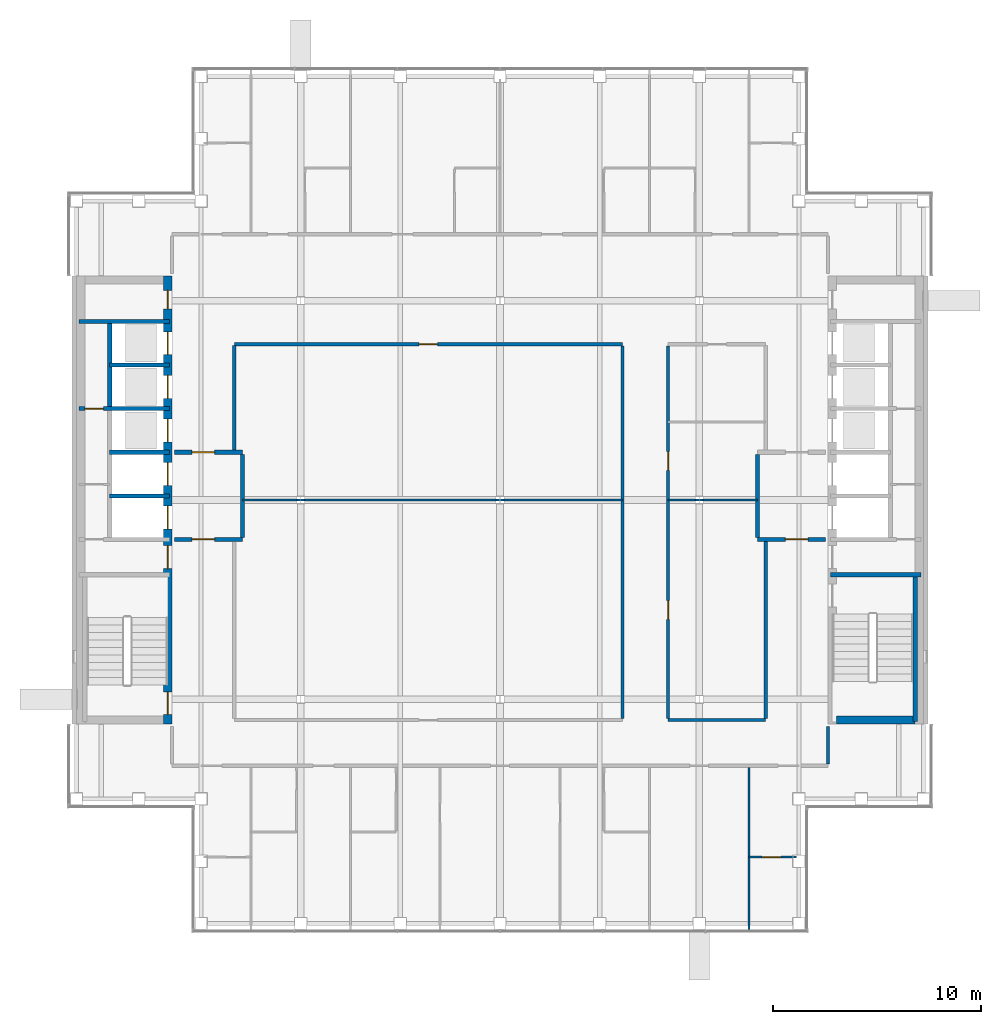
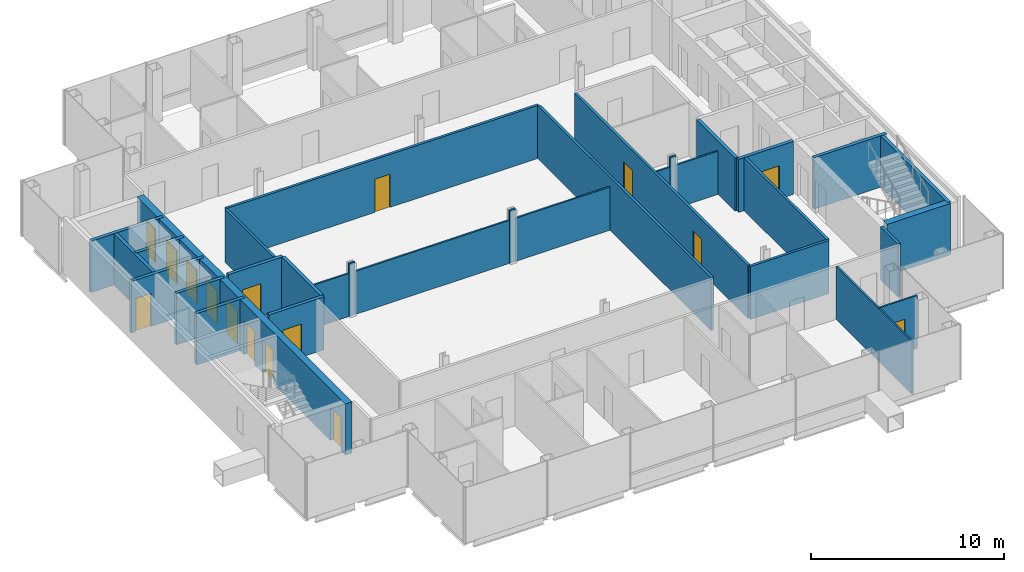
# One storey, part 11 of 15: 32 walls, 16 doors, 16 openings.
"""IFC4 building model written with IfcOpenShell, lengths in metres."""

from ifc_helpers import new_model, si_unit, direction, frame, frame_2d, origin, place, context, subcontext, project, spatial, rectangle, extrude, material, layer, layer_set, type_object, element, fill, save


model = new_model("IFC4")

# Units and contexts
model_context = context("Model", 3, precision=1e-05, world=origin(), true_north=direction((0.0, 1.0)))
body_context = subcontext(model_context, "Body", "Model", "MODEL_VIEW")
ifc_project = project(units=[si_unit("LENGTHUNIT", "METRE"), si_unit("AREAUNIT", "SQUARE_METRE"), si_unit("VOLUMEUNIT", "CUBIC_METRE"), si_unit("PLANEANGLEUNIT", "RADIAN"), si_unit("MASSUNIT", "GRAM", prefix="KILO")], contexts=[model_context])

# Site, building, storey
site_placement = place(None, origin())
site = spatial("IfcSite", under=ifc_project, at=site_placement, CompositionType="ELEMENT")
building_placement = place(site_placement, origin())
building = spatial("IfcBuilding", under=site, at=building_placement, Name="Cobrizo Arcos Hotel Tower", CompositionType="ELEMENT")
storey_placement = place(building_placement, frame((0.0, 0.0, 258.5)))
storey = spatial("IfcBuildingStorey", under=building, at=storey_placement, Name="L68", CompositionType="ELEMENT", Elevation=258.5)

# Wall
ifc_material_1 = material(Name="Gypsum board partition")
ifc_layer_1 = layer(ifc_material_1, 0.14990234375)
ifc_layer_set_1 = layer_set([ifc_layer_1], Name="Corridor wall EI 60 150")
wall_type_1 = type_object("IfcWallType", Name="Corridor wall EI 60 150", PredefinedType="PARTITIONING", material=ifc_layer_set_1)
wall_1_placement = place(storey_placement, frame((8.10009765625, -10.60009765625, 0.0), z_axis=(0.0, 0.0, 1.0), x_axis=(1.0, 0.0, 0.0)))
element("IfcWall", 1, at=wall_1_placement, inside=storey, type_object=wall_type_1, Name="Partition 008", PredefinedType="PARTITIONING", context=body_context, shape_type="SweptSolid", body=[
    extrude(rectangle(XDim=4.699951171875, YDim=0.14990234375, at=frame_2d((2.35009765625, 0.0))), origin(), (0.0, 0.0, 1.0), 3.35009765625),
])

# Wall, opening, door
wall_2_placement = place(storey_placement, frame((-12.800048828125, 7.5, 0.0), z_axis=(0.0, 0.0, 1.0), x_axis=(1.0, 0.0, 0.0)))
wall_2 = element("IfcWall", 2, at=wall_2_placement, inside=storey, type_object=wall_type_1, Name="Partition 036", PredefinedType="PARTITIONING", context=body_context, shape_type="SweptSolid", body=[
    extrude(rectangle(XDim=18.699951171875, YDim=0.14990234375, at=frame_2d((9.35009765625, 0.0))), origin(), (0.0, 0.0, 1.0), 3.35009765625),
])
opening_1_placement = place(wall_2_placement, frame((8.89990234375, 0.0, 0.0)))
opening_1 = element("IfcOpeningElement", 3, at=opening_1_placement, cuts=wall_2, Name="Opening RD-14", PredefinedType="OPENING", context=body_context, shape_type="SweptSolid", body=[
    extrude(rectangle(XDim=0.89990234375, YDim=2.10009765625, at=frame_2d((0.449951171875, 1.050048828125))), frame((0.0, 0.0869140625, 0.0), z_axis=(0.0, -1.0, 0.0), x_axis=(1.0, 0.0, 0.0)), (0.0, 0.0, 1.0), 0.173828125),
])
ifc_material_2 = material(Name="Timber door leaf", Category="wood")
door_type_1 = type_object("IfcDoorType", Name="Room door FD30 900x2100", OperationType="SINGLE_SWING_LEFT", PredefinedType="DOOR", material=ifc_material_2)
door_1_placement = place(opening_1_placement, origin())
door_1 = element("IfcDoor", 4, at=door_1_placement, inside=storey, type_object=door_type_1, Name="Door RD-14", OperationType="SINGLE_SWING_RIGHT", OverallHeight=2.10009765625, OverallWidth=0.89990234375, PredefinedType="DOOR", context=body_context, shape_type="SweptSolid", body=[
    extrude(rectangle(XDim=0.89990234375, YDim=2.10009765625, at=frame_2d((0.449951171875, 1.050048828125))), frame((0.0, 0.02490234375, 0.0), z_axis=(0.0, -1.0, 0.0), x_axis=(1.0, 0.0, 0.0)), (0.0, 0.0, 1.0), 0.050048828125),
])
fill(opening_1, door_1)

# Walls
wall_3_placement = place(storey_placement, frame((-12.800048828125, 2.39990234375, 0.0), z_axis=(0.0, 0.0, 1.0), x_axis=(0.0, 1.0, 0.0)))
element("IfcWall", 5, at=wall_3_placement, inside=storey, type_object=wall_type_1, Name="Partition 052", PredefinedType="PARTITIONING", context=body_context, shape_type="SweptSolid", body=[
    extrude(rectangle(XDim=5.050048828125, YDim=0.14990234375, at=frame_2d((2.52490234375, 0.0))), origin(), (0.0, 0.0, 1.0), 3.35009765625),
])
wall_4_placement = place(storey_placement, frame((5.89990234375, -10.52490234375, 0.0), z_axis=(0.0, 0.0, 1.0), x_axis=(0.0, 1.0, 0.0)))
element("IfcWall", 6, at=wall_4_placement, inside=storey, type_object=wall_type_1, Name="Partition 067", PredefinedType="PARTITIONING", context=body_context, shape_type="SweptSolid", body=[
    extrude(rectangle(XDim=17.949951171875, YDim=0.14990234375, at=frame_2d((8.97509765625, 0.0))), origin(), (0.0, 0.0, 1.0), 3.35009765625),
])

# Wall, openings, doors
wall_5_placement = place(storey_placement, frame((8.10009765625, -10.52490234375, 0.0), z_axis=(0.0, 0.0, 1.0), x_axis=(0.0, 1.0, 0.0)))
wall_5 = element("IfcWall", 7, at=wall_5_placement, inside=storey, type_object=wall_type_1, Name="Partition 071", PredefinedType="PARTITIONING", context=body_context, shape_type="SweptSolid", body=[
    extrude(rectangle(XDim=17.949951171875, YDim=0.14990234375, at=frame_2d((8.97509765625, 0.0))), origin(), (0.0, 0.0, 1.0), 3.35009765625),
])
opening_2_placement = place(wall_5_placement, frame((11.949951171875, 0.0, 0.0)))
opening_2 = element("IfcOpeningElement", 8, at=opening_2_placement, cuts=wall_5, Name="Opening ED-12", PredefinedType="OPENING", context=body_context, shape_type="SweptSolid", body=[
    extrude(rectangle(XDim=0.89990234375, YDim=2.10009765625, at=frame_2d((0.449951171875, 1.050048828125))), frame((0.0, 0.0869140625, 0.0), z_axis=(0.0, -1.0, 0.0), x_axis=(1.0, 0.0, 0.0)), (0.0, 0.0, 1.0), 0.173828125),
])
opening_3_placement = place(wall_5_placement, frame((4.77490234375, 0.0, 0.0)))
opening_3 = element("IfcOpeningElement", 9, at=opening_3_placement, cuts=wall_5, Name="Opening RD-13", PredefinedType="OPENING", context=body_context, shape_type="SweptSolid", body=[
    extrude(rectangle(XDim=0.89990234375, YDim=2.10009765625, at=frame_2d((0.449951171875, 1.050048828125))), frame((0.0, 0.0869140625, 0.0), z_axis=(0.0, -1.0, 0.0), x_axis=(1.0, 0.0, 0.0)), (0.0, 0.0, 1.0), 0.173828125),
])
door_type_2 = type_object("IfcDoorType", Name="En-suite door 900x2100", OperationType="SINGLE_SWING_LEFT", PredefinedType="DOOR", material=ifc_material_2)
door_2_placement = place(opening_2_placement, origin())
door_2 = element("IfcDoor", 10, at=door_2_placement, inside=storey, type_object=door_type_2, Name="Door ED-12", OperationType="SINGLE_SWING_RIGHT", OverallHeight=2.10009765625, OverallWidth=0.89990234375, PredefinedType="DOOR", context=body_context, shape_type="SweptSolid", body=[
    extrude(rectangle(XDim=0.89990234375, YDim=2.10009765625, at=frame_2d((0.449951171875, 1.050048828125))), frame((0.0, 0.02490234375, 0.0), z_axis=(0.0, -1.0, 0.0), x_axis=(1.0, 0.0, 0.0)), (0.0, 0.0, 1.0), 0.050048828125),
])
fill(opening_2, door_2)
door_3_placement = place(opening_3_placement, origin())
door_3 = element("IfcDoor", 11, at=door_3_placement, inside=storey, type_object=door_type_1, Name="Door RD-13", OperationType="SINGLE_SWING_LEFT", OverallHeight=2.10009765625, OverallWidth=0.89990234375, PredefinedType="DOOR", context=body_context, shape_type="SweptSolid", body=[
    extrude(rectangle(XDim=0.89990234375, YDim=2.10009765625, at=frame_2d((0.449951171875, 1.050048828125))), frame((0.0, 0.02490234375, 0.0), z_axis=(0.0, -1.0, 0.0), x_axis=(1.0, 0.0, 0.0)), (0.0, 0.0, 1.0), 0.050048828125),
])
fill(opening_3, door_3)

# Walls
wall_6_placement = place(storey_placement, frame((12.800048828125, -10.52490234375, 0.0), z_axis=(0.0, 0.0, 1.0), x_axis=(0.0, 1.0, 0.0)))
element("IfcWall", 12, at=wall_6_placement, inside=storey, type_object=wall_type_1, Name="Partition 076", PredefinedType="PARTITIONING", context=body_context, shape_type="SweptSolid", body=[
    extrude(rectangle(XDim=8.52490234375, YDim=0.14990234375, at=frame_2d((4.262451171875, 0.0))), origin(), (0.0, 0.0, 1.0), 3.35009765625),
])
wall_7_placement = place(storey_placement, frame((15.800048828125, -12.72509765625, 0.0), z_axis=(0.0, 0.0, 1.0), x_axis=(0.0, 1.0, 0.0)))
element("IfcWall", 13, at=wall_7_placement, inside=storey, type_object=wall_type_1, Name="Partition 078", PredefinedType="PARTITIONING", context=body_context, shape_type="SweptSolid", body=[
    extrude(rectangle(XDim=1.80517578125, YDim=0.14990234375, at=frame_2d((0.902587890625, 0.0))), origin(), (0.0, 0.0, 1.0), 3.35009765625),
])

# Wall, opening, door
ifc_layer_2 = layer(ifc_material_1, 0.10009765625)
ifc_layer_set_2 = layer_set([ifc_layer_2], Name="Partition EI 30 100")
wall_type_2 = type_object("IfcWallType", Name="Partition EI 30 100", PredefinedType="PARTITIONING", material=ifc_layer_set_2)
wall_8_placement = place(storey_placement, frame((12.0, -17.199951171875, 0.0), z_axis=(0.0, 0.0, 1.0), x_axis=(1.0, 0.0, 0.0)))
wall_8 = element("IfcWall", 14, at=wall_8_placement, inside=storey, type_object=wall_type_2, Name="Partition 002", PredefinedType="PARTITIONING", context=body_context, shape_type="SweptSolid", body=[
    extrude(rectangle(XDim=2.280029296875, YDim=0.10009765625, at=frame_2d((1.14013671875, 0.0))), origin(), (0.0, 0.0, 1.0), 3.35009765625),
])
opening_4_placement = place(wall_8_placement, frame((0.6298828125, 0.0, 0.0)))
opening_4 = element("IfcOpeningElement", 15, at=opening_4_placement, cuts=wall_8, Name="Opening ED-10", PredefinedType="OPENING", context=body_context, shape_type="SweptSolid", body=[
    extrude(rectangle(XDim=0.89990234375, YDim=2.10009765625, at=frame_2d((0.449951171875, 1.050048828125))), frame((0.0, 0.06201171875, 0.0), z_axis=(0.0, -1.0, 0.0), x_axis=(1.0, 0.0, 0.0)), (0.0, 0.0, 1.0), 0.1240234375),
])
door_4_placement = place(opening_4_placement, origin())
door_4 = element("IfcDoor", 16, at=door_4_placement, inside=storey, type_object=door_type_2, Name="Door ED-10", OperationType="SINGLE_SWING_RIGHT", OverallHeight=2.10009765625, OverallWidth=0.89990234375, PredefinedType="DOOR", context=body_context, shape_type="SweptSolid", body=[
    extrude(rectangle(XDim=0.89990234375, YDim=2.10009765625, at=frame_2d((0.449951171875, 1.050048828125))), frame((0.0, 0.02490234375, 0.0), z_axis=(0.0, -1.0, 0.0), x_axis=(1.0, 0.0, 0.0)), (0.0, 0.0, 1.0), 0.050048828125),
])
fill(opening_4, door_4)

# Walls
wall_9_placement = place(storey_placement, frame((-12.39990234375, 0.0, 0.0), z_axis=(0.0, 0.0, 1.0), x_axis=(1.0, 0.0, 0.0)))
element("IfcWall", 17, at=wall_9_placement, inside=storey, type_object=wall_type_2, Name="Partition 015", PredefinedType="PARTITIONING", context=body_context, shape_type="SweptSolid", body=[
    extrude(rectangle(XDim=2.615966796875, YDim=0.10009765625, at=frame_2d((1.30810546875, 0.0))), origin(), (0.0, 0.0, 1.0), 2.72802734375),
])
wall_10_placement = place(storey_placement, frame((-9.783935546875, 0.0, 0.0), z_axis=(0.0, 0.0, 1.0), x_axis=(1.0, 0.0, 0.0)))
element("IfcWall", 18, at=wall_10_placement, inside=storey, type_object=wall_type_2, Name="Partition 016", PredefinedType="PARTITIONING", context=body_context, shape_type="SweptSolid", body=[
    extrude(rectangle(XDim=0.367919921875, YDim=0.10009765625, at=frame_2d((0.18408203125, 0.0))), origin(), (0.0, 0.0, 1.0), 3.35009765625),
])
wall_11_placement = place(storey_placement, frame((-9.416015625, 0.0, 0.0), z_axis=(0.0, 0.0, 1.0), x_axis=(1.0, 0.0, 0.0)))
element("IfcWall", 19, at=wall_11_placement, inside=storey, type_object=wall_type_2, Name="Partition 017", PredefinedType="PARTITIONING", context=body_context, shape_type="SweptSolid", body=[
    extrude(rectangle(XDim=9.23193359375, YDim=0.10009765625, at=frame_2d((4.615966796875, 0.0))), origin(), (0.0, 0.0, 1.0), 2.72802734375),
])
wall_12_placement = place(storey_placement, frame((-0.18408203125, 0.0, 0.0), z_axis=(0.0, 0.0, 1.0), x_axis=(1.0, 0.0, 0.0)))
element("IfcWall", 20, at=wall_12_placement, inside=storey, type_object=wall_type_2, Name="Partition 018", PredefinedType="PARTITIONING", context=body_context, shape_type="SweptSolid", body=[
    extrude(rectangle(XDim=0.3681640625, YDim=0.10009765625, at=frame_2d((0.18408203125, 0.0))), origin(), (0.0, 0.0, 1.0), 3.35009765625),
])
wall_13_placement = place(storey_placement, frame((0.18408203125, 0.0, 0.0), z_axis=(0.0, 0.0, 1.0), x_axis=(1.0, 0.0, 0.0)))
element("IfcWall", 21, at=wall_13_placement, inside=storey, type_object=wall_type_2, Name="Partition 019", PredefinedType="PARTITIONING", context=body_context, shape_type="SweptSolid", body=[
    extrude(rectangle(XDim=5.7158203125, YDim=0.10009765625, at=frame_2d((2.85791015625, 0.0))), origin(), (0.0, 0.0, 1.0), 2.72802734375),
])
wall_14_placement = place(storey_placement, frame((8.10009765625, 0.0, 0.0), z_axis=(0.0, 0.0, 1.0), x_axis=(1.0, 0.0, 0.0)))
element("IfcWall", 22, at=wall_14_placement, inside=storey, type_object=wall_type_2, Name="Partition 020", PredefinedType="PARTITIONING", context=body_context, shape_type="SweptSolid", body=[
    extrude(rectangle(XDim=1.31591796875, YDim=0.10009765625, at=frame_2d((0.657958984375, 0.0))), origin(), (0.0, 0.0, 1.0), 2.72802734375),
])
wall_15_placement = place(storey_placement, frame((9.416015625, 0.0, 0.0), z_axis=(0.0, 0.0, 1.0), x_axis=(1.0, 0.0, 0.0)))
element("IfcWall", 23, at=wall_15_placement, inside=storey, type_object=wall_type_2, Name="Partition 021", PredefinedType="PARTITIONING", context=body_context, shape_type="SweptSolid", body=[
    extrude(rectangle(XDim=0.367919921875, YDim=0.10009765625, at=frame_2d((0.18408203125, 0.0))), origin(), (0.0, 0.0, 1.0), 3.35009765625),
])
wall_16_placement = place(storey_placement, frame((9.783935546875, 0.0, 0.0), z_axis=(0.0, 0.0, 1.0), x_axis=(1.0, 0.0, 0.0)))
element("IfcWall", 24, at=wall_16_placement, inside=storey, type_object=wall_type_2, Name="Partition 022", PredefinedType="PARTITIONING", context=body_context, shape_type="SweptSolid", body=[
    extrude(rectangle(XDim=2.615966796875, YDim=0.10009765625, at=frame_2d((1.30810546875, 0.0))), origin(), (0.0, 0.0, 1.0), 2.72802734375),
])
wall_17_placement = place(storey_placement, frame((12.0, -20.72998046875, 0.0), z_axis=(0.0, 0.0, 1.0), x_axis=(0.0, 1.0, 0.0)))
element("IfcWall", 25, at=wall_17_placement, inside=storey, type_object=wall_type_2, Name="Partition 073", PredefinedType="PARTITIONING", context=body_context, shape_type="SweptSolid", body=[
    extrude(rectangle(XDim=7.85498046875, YDim=0.10009765625, at=frame_2d((3.927490234375, 0.0))), origin(), (0.0, 0.0, 1.0), 3.35009765625),
])
ifc_material_3 = material(Name="Concrete f'c 40 MPa", Category="concrete")
ifc_layer_3 = layer(ifc_material_3, 0.39990234375)
ifc_layer_set_3 = layer_set([ifc_layer_3], Name="RC core wall 400 f'c 40")
wall_type_3 = type_object("IfcWallType", Name="RC core wall 400 f'c 40", PredefinedType="SHEAR", material=ifc_layer_set_3)
wall_18_placement = place(storey_placement, frame((16.199951171875, -10.60009765625, 0.0), z_axis=(0.0, 0.0, 1.0), x_axis=(1.0, 0.0, 0.0)))
element("IfcWall", 26, at=wall_18_placement, inside=storey, type_object=wall_type_3, Name="Core wall CW4, east core, south end, L68", PredefinedType="SHEAR", context=body_context, shape_type="SweptSolid", body=[
    extrude(rectangle(XDim=3.800048828125, YDim=0.39990234375, at=frame_2d((1.89990234375, 0.0))), origin(), (0.0, 0.0, 1.0), 3.25),
])

# Wall, openings, doors
wall_19_placement = place(storey_placement, frame((-16.0, -10.800048828125, 0.0), z_axis=(0.0, 0.0, 1.0), x_axis=(0.0, 1.0, 0.0)))
wall_19 = element("IfcWall", 27, at=wall_19_placement, inside=storey, type_object=wall_type_3, Name="Core wall CW4, west core, inner face, L68", PredefinedType="SHEAR", context=body_context, shape_type="SweptSolid", body=[
    extrude(rectangle(XDim=21.60009765625, YDim=0.39990234375, at=frame_2d((10.800048828125, 0.0))), origin(), (0.0, 0.0, 1.0), 3.25),
])
opening_5_placement = place(wall_19_placement, frame((9.39990234375, 0.0, 0.0)))
opening_5 = element("IfcOpeningElement", 28, at=opening_5_placement, cuts=wall_19, Name="Opening LD-01", PredefinedType="OPENING", context=body_context, shape_type="SweptSolid", body=[
    extrude(rectangle(XDim=1.10009765625, YDim=2.10009765625, at=frame_2d((0.550048828125, 1.050048828125))), frame((0.0, 0.2119140625, 0.0), z_axis=(0.0, -1.0, 0.0), x_axis=(1.0, 0.0, 0.0)), (0.0, 0.0, 1.0), 0.423828125),
])
opening_6_placement = place(wall_19_placement, frame((11.5, 0.0, 0.0)))
opening_6 = element("IfcOpeningElement", 29, at=opening_6_placement, cuts=wall_19, Name="Opening LD-02", PredefinedType="OPENING", context=body_context, shape_type="SweptSolid", body=[
    extrude(rectangle(XDim=1.10009765625, YDim=2.10009765625, at=frame_2d((0.550048828125, 1.050048828125))), frame((0.0, 0.2119140625, 0.0), z_axis=(0.0, -1.0, 0.0), x_axis=(1.0, 0.0, 0.0)), (0.0, 0.0, 1.0), 0.423828125),
])
opening_7_placement = place(wall_19_placement, frame((13.60009765625, 0.0, 0.0)))
opening_7 = element("IfcOpeningElement", 30, at=opening_7_placement, cuts=wall_19, Name="Opening LD-03", PredefinedType="OPENING", context=body_context, shape_type="SweptSolid", body=[
    extrude(rectangle(XDim=1.10009765625, YDim=2.10009765625, at=frame_2d((0.550048828125, 1.050048828125))), frame((0.0, 0.2119140625, 0.0), z_axis=(0.0, -1.0, 0.0), x_axis=(1.0, 0.0, 0.0)), (0.0, 0.0, 1.0), 0.423828125),
])
opening_8_placement = place(wall_19_placement, frame((15.699951171875, 0.0, 0.0)))
opening_8 = element("IfcOpeningElement", 31, at=opening_8_placement, cuts=wall_19, Name="Opening LD-04", PredefinedType="OPENING", context=body_context, shape_type="SweptSolid", body=[
    extrude(rectangle(XDim=1.10009765625, YDim=2.10009765625, at=frame_2d((0.550048828125, 1.050048828125))), frame((0.0, 0.2119140625, 0.0), z_axis=(0.0, -1.0, 0.0), x_axis=(1.0, 0.0, 0.0)), (0.0, 0.0, 1.0), 0.423828125),
])
opening_9_placement = place(wall_19_placement, frame((17.800048828125, 0.0, 0.0)))
opening_9 = element("IfcOpeningElement", 32, at=opening_9_placement, cuts=wall_19, Name="Opening LD-05", PredefinedType="OPENING", context=body_context, shape_type="SweptSolid", body=[
    extrude(rectangle(XDim=1.10009765625, YDim=2.10009765625, at=frame_2d((0.550048828125, 1.050048828125))), frame((0.0, 0.2119140625, 0.0), z_axis=(0.0, -1.0, 0.0), x_axis=(1.0, 0.0, 0.0)), (0.0, 0.0, 1.0), 0.423828125),
])
opening_10_placement = place(wall_19_placement, frame((0.4580078125, 0.0, 0.0)))
opening_10 = element("IfcOpeningElement", 33, at=opening_10_placement, cuts=wall_19, Name="Opening SD-01", PredefinedType="OPENING", context=body_context, shape_type="SweptSolid", body=[
    extrude(rectangle(XDim=1.10009765625, YDim=2.10009765625, at=frame_2d((0.550048828125, 1.050048828125))), frame((0.0, 0.2119140625, 0.0), z_axis=(0.0, -1.0, 0.0), x_axis=(1.0, 0.0, 0.0)), (0.0, 0.0, 1.0), 0.423828125),
])
opening_11_placement = place(wall_19_placement, frame((7.5, 0.0, 0.0)))
opening_11 = element("IfcOpeningElement", 34, at=opening_11_placement, cuts=wall_19, Name="Opening FD-01", PredefinedType="OPENING", context=body_context, shape_type="SweptSolid", body=[
    extrude(rectangle(XDim=1.10009765625, YDim=2.10009765625, at=frame_2d((0.550048828125, 1.050048828125))), frame((0.0, 0.2119140625, 0.0), z_axis=(0.0, -1.0, 0.0), x_axis=(1.0, 0.0, 0.0)), (0.0, 0.0, 1.0), 0.423828125),
])
opening_12_placement = place(wall_19_placement, frame((20.0, 0.0, 0.0)))
opening_12 = element("IfcOpeningElement", 35, at=opening_12_placement, cuts=wall_19, Name="Opening RD-01", PredefinedType="OPENING", context=body_context, shape_type="SweptSolid", body=[
    extrude(rectangle(XDim=0.89990234375, YDim=2.10009765625, at=frame_2d((0.449951171875, 1.050048828125))), frame((0.0, 0.2119140625, 0.0), z_axis=(0.0, -1.0, 0.0), x_axis=(1.0, 0.0, 0.0)), (0.0, 0.0, 1.0), 0.423828125),
])
ifc_material_4 = material(Name="Steel door leaf", Category="steel")
door_type_3 = type_object("IfcDoorType", Name="Fire door FD60 1100x2100", OperationType="SINGLE_SWING_LEFT", PredefinedType="DOOR", material=ifc_material_4)
door_5_placement = place(opening_11_placement, origin())
door_5 = element("IfcDoor", 36, at=door_5_placement, inside=storey, type_object=door_type_3, Name="Door FD-01", OperationType="SINGLE_SWING_LEFT", OverallHeight=2.10009765625, OverallWidth=1.10009765625, PredefinedType="DOOR", context=body_context, shape_type="SweptSolid", body=[
    extrude(rectangle(XDim=1.10009765625, YDim=2.10009765625, at=frame_2d((0.550048828125, 1.050048828125))), frame((0.0, 0.02490234375, 0.0), z_axis=(0.0, -1.0, 0.0), x_axis=(1.0, 0.0, 0.0)), (0.0, 0.0, 1.0), 0.050048828125),
])
fill(opening_11, door_5)
door_type_4 = type_object("IfcDoorType", Name="Lift landing door 1100x2100", OperationType="SLIDING_TO_LEFT", PredefinedType="DOOR", material=ifc_material_4)
door_6_placement = place(opening_5_placement, origin())
door_6 = element("IfcDoor", 37, at=door_6_placement, inside=storey, type_object=door_type_4, Name="Lift landing door LD-01", OperationType="SLIDING_TO_LEFT", OverallHeight=2.10009765625, OverallWidth=1.10009765625, PredefinedType="DOOR", context=body_context, shape_type="SweptSolid", body=[
    extrude(rectangle(XDim=1.10009765625, YDim=2.10009765625, at=frame_2d((0.550048828125, 1.050048828125))), frame((0.0, 0.02490234375, 0.0), z_axis=(0.0, -1.0, 0.0), x_axis=(1.0, 0.0, 0.0)), (0.0, 0.0, 1.0), 0.050048828125),
])
fill(opening_5, door_6)
door_7_placement = place(opening_6_placement, origin())
door_7 = element("IfcDoor", 38, at=door_7_placement, inside=storey, type_object=door_type_4, Name="Lift landing door LD-02", OperationType="SLIDING_TO_LEFT", OverallHeight=2.10009765625, OverallWidth=1.10009765625, PredefinedType="DOOR", context=body_context, shape_type="SweptSolid", body=[
    extrude(rectangle(XDim=1.10009765625, YDim=2.10009765625, at=frame_2d((0.550048828125, 1.050048828125))), frame((0.0, 0.02490234375, 0.0), z_axis=(0.0, -1.0, 0.0), x_axis=(1.0, 0.0, 0.0)), (0.0, 0.0, 1.0), 0.050048828125),
])
fill(opening_6, door_7)
door_8_placement = place(opening_7_placement, origin())
door_8 = element("IfcDoor", 39, at=door_8_placement, inside=storey, type_object=door_type_4, Name="Lift landing door LD-03", OperationType="SLIDING_TO_LEFT", OverallHeight=2.10009765625, OverallWidth=1.10009765625, PredefinedType="DOOR", context=body_context, shape_type="SweptSolid", body=[
    extrude(rectangle(XDim=1.10009765625, YDim=2.10009765625, at=frame_2d((0.550048828125, 1.050048828125))), frame((0.0, 0.02490234375, 0.0), z_axis=(0.0, -1.0, 0.0), x_axis=(1.0, 0.0, 0.0)), (0.0, 0.0, 1.0), 0.050048828125),
])
fill(opening_7, door_8)
door_9_placement = place(opening_8_placement, origin())
door_9 = element("IfcDoor", 40, at=door_9_placement, inside=storey, type_object=door_type_4, Name="Lift landing door LD-04", OperationType="SLIDING_TO_LEFT", OverallHeight=2.10009765625, OverallWidth=1.10009765625, PredefinedType="DOOR", context=body_context, shape_type="SweptSolid", body=[
    extrude(rectangle(XDim=1.10009765625, YDim=2.10009765625, at=frame_2d((0.550048828125, 1.050048828125))), frame((0.0, 0.02490234375, 0.0), z_axis=(0.0, -1.0, 0.0), x_axis=(1.0, 0.0, 0.0)), (0.0, 0.0, 1.0), 0.050048828125),
])
fill(opening_8, door_9)
door_10_placement = place(opening_9_placement, origin())
door_10 = element("IfcDoor", 41, at=door_10_placement, inside=storey, type_object=door_type_4, Name="Lift landing door LD-05", OperationType="SLIDING_TO_LEFT", OverallHeight=2.10009765625, OverallWidth=1.10009765625, PredefinedType="DOOR", context=body_context, shape_type="SweptSolid", body=[
    extrude(rectangle(XDim=1.10009765625, YDim=2.10009765625, at=frame_2d((0.550048828125, 1.050048828125))), frame((0.0, 0.02490234375, 0.0), z_axis=(0.0, -1.0, 0.0), x_axis=(1.0, 0.0, 0.0)), (0.0, 0.0, 1.0), 0.050048828125),
])
fill(opening_9, door_10)
door_11_placement = place(opening_12_placement, origin())
door_11 = element("IfcDoor", 42, at=door_11_placement, inside=storey, type_object=door_type_1, Name="Door RD-01", OperationType="SINGLE_SWING_LEFT", OverallHeight=2.10009765625, OverallWidth=0.89990234375, PredefinedType="DOOR", context=body_context, shape_type="SweptSolid", body=[
    extrude(rectangle(XDim=0.89990234375, YDim=2.10009765625, at=frame_2d((0.449951171875, 1.050048828125))), frame((0.0, 0.02490234375, 0.0), z_axis=(0.0, -1.0, 0.0), x_axis=(1.0, 0.0, 0.0)), (0.0, 0.0, 1.0), 0.050048828125),
])
fill(opening_12, door_11)
door_type_5 = type_object("IfcDoorType", Name="Stair door FD60S 1100x2100", OperationType="SINGLE_SWING_LEFT", PredefinedType="DOOR", material=ifc_material_4)
door_12_placement = place(opening_10_placement, origin())
door_12 = element("IfcDoor", 43, at=door_12_placement, inside=storey, type_object=door_type_5, Name="Door SD-01", OperationType="SINGLE_SWING_RIGHT", OverallHeight=2.10009765625, OverallWidth=1.10009765625, PredefinedType="DOOR", context=body_context, shape_type="SweptSolid", body=[
    extrude(rectangle(XDim=1.10009765625, YDim=2.10009765625, at=frame_2d((0.550048828125, 1.050048828125))), frame((0.0, 0.02490234375, 0.0), z_axis=(0.0, -1.0, 0.0), x_axis=(1.0, 0.0, 0.0)), (0.0, 0.0, 1.0), 0.050048828125),
])
fill(opening_10, door_12)

# Wall, opening, door
ifc_layer_4 = layer(ifc_material_1, 0.199951171875)
ifc_layer_set_4 = layer_set([ifc_layer_4], Name="Shaft wall EI 120 200")
wall_type_4 = type_object("IfcWallType", Name="Shaft wall EI 120 200", PredefinedType="PARTITIONING", material=ifc_layer_set_4)
wall_20_placement = place(storey_placement, frame((-15.679931640625, -1.89990234375, 0.0), z_axis=(0.0, 0.0, 1.0), x_axis=(1.0, 0.0, 0.0)))
wall_20 = element("IfcWall", 44, at=wall_20_placement, inside=storey, type_object=wall_type_4, Name="Partition 012", PredefinedType="PARTITIONING", context=body_context, shape_type="SweptSolid", body=[
    extrude(rectangle(XDim=3.280029296875, YDim=0.199951171875, at=frame_2d((1.64013671875, 0.0))), origin(), (0.0, 0.0, 1.0), 3.35009765625),
])
opening_13_placement = place(wall_20_placement, frame((0.840087890625, 0.0, 0.0)))
opening_13 = element("IfcOpeningElement", 45, at=opening_13_placement, cuts=wall_20, Name="Opening FD-03", PredefinedType="OPENING", context=body_context, shape_type="SweptSolid", body=[
    extrude(rectangle(XDim=1.10009765625, YDim=2.10009765625, at=frame_2d((0.550048828125, 1.050048828125))), frame((0.0, 0.112060546875, 0.0), z_axis=(0.0, -1.0, 0.0), x_axis=(1.0, 0.0, 0.0)), (0.0, 0.0, 1.0), 0.223876953125),
])
door_13_placement = place(opening_13_placement, origin())
door_13 = element("IfcDoor", 46, at=door_13_placement, inside=storey, type_object=door_type_3, Name="Door FD-03", OperationType="SINGLE_SWING_LEFT", OverallHeight=2.10009765625, OverallWidth=1.10009765625, PredefinedType="DOOR", context=body_context, shape_type="SweptSolid", body=[
    extrude(rectangle(XDim=1.10009765625, YDim=2.10009765625, at=frame_2d((0.550048828125, 1.050048828125))), frame((0.0, 0.02490234375, 0.0), z_axis=(0.0, -1.0, 0.0), x_axis=(1.0, 0.0, 0.0)), (0.0, 0.0, 1.0), 0.050048828125),
])
fill(opening_13, door_13)

wall_21_placement = place(storey_placement, frame((12.39990234375, -1.89990234375, 0.0), z_axis=(0.0, 0.0, 1.0), x_axis=(1.0, 0.0, 0.0)))
wall_21 = element("IfcWall", 47, at=wall_21_placement, inside=storey, type_object=wall_type_4, Name="Partition 013", PredefinedType="PARTITIONING", context=body_context, shape_type="SweptSolid", body=[
    extrude(rectangle(XDim=3.280029296875, YDim=0.199951171875, at=frame_2d((1.64013671875, 0.0))), origin(), (0.0, 0.0, 1.0), 3.35009765625),
])
opening_14_placement = place(wall_21_placement, frame((1.340087890625, 0.0, 0.0)))
opening_14 = element("IfcOpeningElement", 48, at=opening_14_placement, cuts=wall_21, Name="Opening FD-06", PredefinedType="OPENING", context=body_context, shape_type="SweptSolid", body=[
    extrude(rectangle(XDim=1.10009765625, YDim=2.10009765625, at=frame_2d((0.550048828125, 1.050048828125))), frame((0.0, 0.112060546875, 0.0), z_axis=(0.0, -1.0, 0.0), x_axis=(1.0, 0.0, 0.0)), (0.0, 0.0, 1.0), 0.223876953125),
])
door_14_placement = place(opening_14_placement, origin())
door_14 = element("IfcDoor", 49, at=door_14_placement, inside=storey, type_object=door_type_3, Name="Door FD-06", OperationType="SINGLE_SWING_LEFT", OverallHeight=2.10009765625, OverallWidth=1.10009765625, PredefinedType="DOOR", context=body_context, shape_type="SweptSolid", body=[
    extrude(rectangle(XDim=1.10009765625, YDim=2.10009765625, at=frame_2d((0.550048828125, 1.050048828125))), frame((0.0, 0.02490234375, 0.0), z_axis=(0.0, -1.0, 0.0), x_axis=(1.0, 0.0, 0.0)), (0.0, 0.0, 1.0), 0.050048828125),
])
fill(opening_14, door_14)

# Walls
for number, where, z_axis, x_axis, name in (
    (50, (-18.800048828125, 0.199951171875, 0.0), (0.0, 0.0, 1.0), (1.0, 0.0, 0.0), "Partition 023"),
    (51, (-18.800048828125, 2.300048828125, 0.0), (0.0, 0.0, 1.0), (1.0, 0.0, 0.0), "Partition 027"),
):
    element("IfcWall", number, at=place(storey_placement, frame(where, z_axis=z_axis, x_axis=x_axis)), inside=storey, type_object=wall_type_4, Name=name, PredefinedType="PARTITIONING", context=body_context, shape_type="SweptSolid", body=[
        extrude(rectangle(XDim=2.880126953125, YDim=0.199951171875, at=frame_2d((1.43994140625, 0.0))), origin(), (0.0, 0.0, 1.0), 3.25),
    ])

# Wall, opening, door
wall_22_placement = place(storey_placement, frame((-15.679931640625, 2.300048828125, 0.0), z_axis=(0.0, 0.0, 1.0), x_axis=(1.0, 0.0, 0.0)))
wall_22 = element("IfcWall", 52, at=wall_22_placement, inside=storey, type_object=wall_type_4, Name="Partition 028", PredefinedType="PARTITIONING", context=body_context, shape_type="SweptSolid", body=[
    extrude(rectangle(XDim=3.280029296875, YDim=0.199951171875, at=frame_2d((1.64013671875, 0.0))), origin(), (0.0, 0.0, 1.0), 3.35009765625),
])
opening_15_placement = place(wall_22_placement, frame((0.840087890625, 0.0, 0.0)))
opening_15 = element("IfcOpeningElement", 53, at=opening_15_placement, cuts=wall_22, Name="Opening FD-02", PredefinedType="OPENING", context=body_context, shape_type="SweptSolid", body=[
    extrude(rectangle(XDim=1.10009765625, YDim=2.10009765625, at=frame_2d((0.550048828125, 1.050048828125))), frame((0.0, 0.112060546875, 0.0), z_axis=(0.0, -1.0, 0.0), x_axis=(1.0, 0.0, 0.0)), (0.0, 0.0, 1.0), 0.223876953125),
])
door_15_placement = place(opening_15_placement, origin())
door_15 = element("IfcDoor", 54, at=door_15_placement, inside=storey, type_object=door_type_3, Name="Door FD-02", OperationType="SINGLE_SWING_RIGHT", OverallHeight=2.10009765625, OverallWidth=1.10009765625, PredefinedType="DOOR", context=body_context, shape_type="SweptSolid", body=[
    extrude(rectangle(XDim=1.10009765625, YDim=2.10009765625, at=frame_2d((0.550048828125, 1.050048828125))), frame((0.0, 0.02490234375, 0.0), z_axis=(0.0, -1.0, 0.0), x_axis=(1.0, 0.0, 0.0)), (0.0, 0.0, 1.0), 0.050048828125),
])
fill(opening_15, door_15)

wall_23_placement = place(storey_placement, frame((-20.280029296875, 4.39990234375, 0.0), z_axis=(0.0, 0.0, 1.0), x_axis=(1.0, 0.0, 0.0)))
wall_23 = element("IfcWall", 55, at=wall_23_placement, inside=storey, type_object=wall_type_4, Name="Partition 032", PredefinedType="PARTITIONING", context=body_context, shape_type="SweptSolid", body=[
    extrude(rectangle(XDim=4.360107421875, YDim=0.199951171875, at=frame_2d((2.18017578125, 0.0))), origin(), (0.0, 0.0, 1.0), 3.25),
])
opening_16_placement = place(wall_23_placement, frame((0.280029296875, 0.0, 0.0)))
opening_16 = element("IfcOpeningElement", 56, at=opening_16_placement, cuts=wall_23, Name="Opening RD-04", PredefinedType="OPENING", context=body_context, shape_type="SweptSolid", body=[
    extrude(rectangle(XDim=0.89990234375, YDim=2.10009765625, at=frame_2d((0.449951171875, 1.050048828125))), frame((0.0, 0.112060546875, 0.0), z_axis=(0.0, -1.0, 0.0), x_axis=(1.0, 0.0, 0.0)), (0.0, 0.0, 1.0), 0.223876953125),
])
door_16_placement = place(opening_16_placement, origin())
door_16 = element("IfcDoor", 57, at=door_16_placement, inside=storey, type_object=door_type_1, Name="Door RD-04", OperationType="SINGLE_SWING_LEFT", OverallHeight=2.10009765625, OverallWidth=0.89990234375, PredefinedType="DOOR", context=body_context, shape_type="SweptSolid", body=[
    extrude(rectangle(XDim=0.89990234375, YDim=2.10009765625, at=frame_2d((0.449951171875, 1.050048828125))), frame((0.0, 0.02490234375, 0.0), z_axis=(0.0, -1.0, 0.0), x_axis=(1.0, 0.0, 0.0)), (0.0, 0.0, 1.0), 0.050048828125),
])
fill(opening_16, door_16)

# Walls
wall_24_placement = place(storey_placement, frame((-18.800048828125, 6.5, 0.0), z_axis=(0.0, 0.0, 1.0), x_axis=(1.0, 0.0, 0.0)))
element("IfcWall", 58, at=wall_24_placement, inside=storey, type_object=wall_type_4, Name="Partition 034", PredefinedType="PARTITIONING", context=body_context, shape_type="SweptSolid", body=[
    extrude(rectangle(XDim=2.880126953125, YDim=0.199951171875, at=frame_2d((1.43994140625, 0.0))), origin(), (0.0, 0.0, 1.0), 3.25),
])
wall_25_placement = place(storey_placement, frame((-20.280029296875, 8.60009765625, 0.0), z_axis=(0.0, 0.0, 1.0), x_axis=(1.0, 0.0, 0.0)))
element("IfcWall", 59, at=wall_25_placement, inside=storey, type_object=wall_type_4, Name="Partition 038", PredefinedType="PARTITIONING", context=body_context, shape_type="SweptSolid", body=[
    extrude(rectangle(XDim=4.360107421875, YDim=0.199951171875, at=frame_2d((2.18017578125, 0.0))), origin(), (0.0, 0.0, 1.0), 3.25),
])
wall_26_placement = place(storey_placement, frame((-18.800048828125, 4.5, 0.0), z_axis=(0.0, 0.0, 1.0), x_axis=(0.0, 1.0, 0.0)))
element("IfcWall", 60, at=wall_26_placement, inside=storey, type_object=wall_type_4, Name="Partition 048", PredefinedType="PARTITIONING", context=body_context, shape_type="SweptSolid", body=[
    extrude(rectangle(XDim=4.0, YDim=0.199951171875, at=frame_2d((2.0, 0.0))), origin(), (0.0, 0.0, 1.0), 3.25),
])
for number, where, z_axis, x_axis, name in (
    (61, (-12.39990234375, -1.800048828125, 0.0), (0.0, 0.0, 1.0), (0.0, 1.0, 0.0), "Partition 053"),
    (62, (12.39990234375, -1.800048828125, 0.0), (0.0, 0.0, 1.0), (0.0, 1.0, 0.0), "Partition 075"),
):
    element("IfcWall", number, at=place(storey_placement, frame(where, z_axis=z_axis, x_axis=x_axis)), inside=storey, type_object=wall_type_4, Name=name, PredefinedType="PARTITIONING", context=body_context, shape_type="SweptSolid", body=[
        extrude(rectangle(XDim=4.0, YDim=0.199951171875, at=frame_2d((2.0, 0.0))), origin(), (0.0, 0.0, 1.0), 3.35009765625),
    ])
ifc_layer_5 = layer(ifc_material_3, 0.199951171875)
ifc_layer_set_5 = layer_set([ifc_layer_5], Name="Stair shaft wall 200")
wall_type_5 = type_object("IfcWallType", Name="Stair shaft wall 200", PredefinedType="SHEAR", material=ifc_layer_set_5)
wall_27_placement = place(storey_placement, frame((15.919921875, -3.60009765625, 0.0), z_axis=(0.0, 0.0, 1.0), x_axis=(1.0, 0.0, 0.0)))
element("IfcWall", 63, at=wall_27_placement, inside=storey, type_object=wall_type_5, Name="Stair shaft wall E", PredefinedType="SHEAR", context=body_context, shape_type="SweptSolid", body=[
    extrude(rectangle(XDim=4.360107421875, YDim=0.199951171875, at=frame_2d((2.18017578125, 0.0))), origin(), (0.0, 0.0, 1.0), 3.25),
])
wall_28_placement = place(storey_placement, frame((20.0, -10.679931640625, 0.0), z_axis=(0.0, 0.0, 1.0), x_axis=(0.0, 1.0, 0.0)))
element("IfcWall", 64, at=wall_28_placement, inside=storey, type_object=wall_type_5, Name="Stair shaft wall E", PredefinedType="SHEAR", context=body_context, shape_type="SweptSolid", body=[
    extrude(rectangle(XDim=6.97998046875, YDim=0.199951171875, at=frame_2d((3.489990234375, 0.0))), origin(), (0.0, 0.0, 1.0), 3.25),
])

save(model, "model.ifc")
